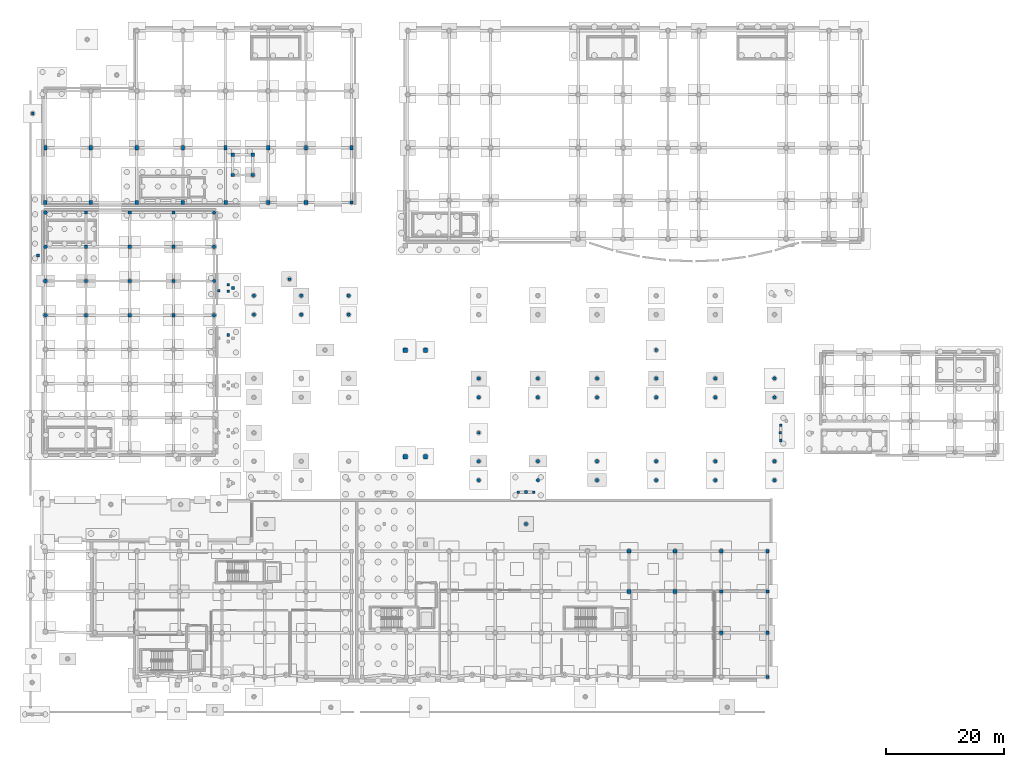
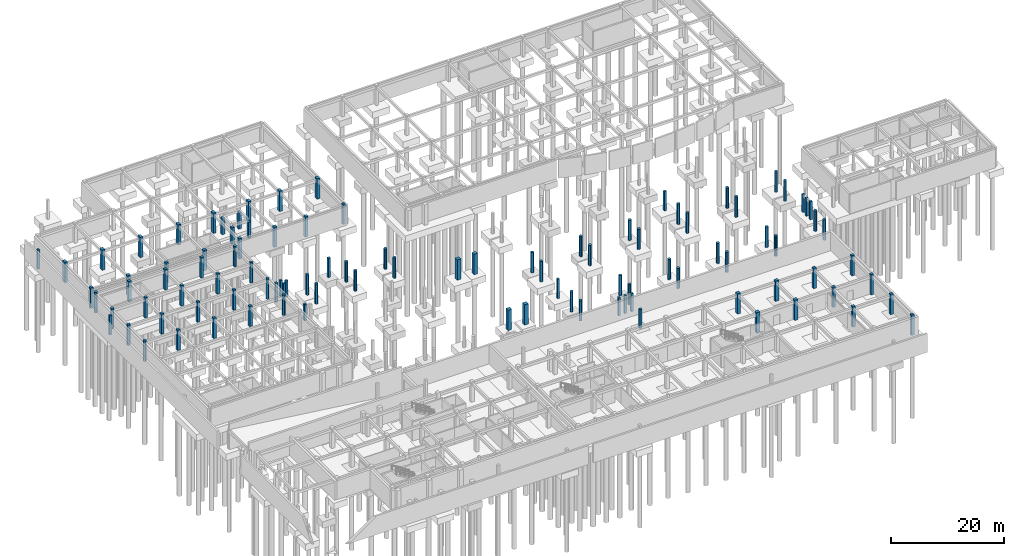
# One storey, part 7 of 22: 102 columns.
"""IFC4 building model written with IfcOpenShell, lengths in metres."""

from ifc_helpers import new_model, si_unit, direction, frame, origin, origin_2d, place, context, subcontext, project, spatial, rectangle, circle, extrude, material, material_profile, profile_set, type_object, element, save


model = new_model("IFC4")

# Units and contexts
model_context = context("Model", 3, precision=1e-05, world=origin(), true_north=direction((0.0, 1.0)))
body_context = subcontext(model_context, "Body", "Model", "MODEL_VIEW")
ifc_project = project(units=[si_unit("LENGTHUNIT", "METRE"), si_unit("AREAUNIT", "SQUARE_METRE"), si_unit("VOLUMEUNIT", "CUBIC_METRE"), si_unit("PLANEANGLEUNIT", "RADIAN"), si_unit("MASSUNIT", "GRAM", prefix="KILO")], contexts=[model_context])

# Site, building, storey
site_placement = place(None, origin())
site = spatial("IfcSite", under=ifc_project, at=site_placement, CompositionType="ELEMENT")
building_placement = place(site_placement, origin())
building = spatial("IfcBuilding", under=site, at=building_placement, Name="Valcora Specialist Clinic", CompositionType="ELEMENT")
storey_placement = place(building_placement, frame((0.0, 0.0, -4.419921875)))
storey = spatial("IfcBuildingStorey", under=building, at=storey_placement, Name="B1", CompositionType="ELEMENT", Elevation=-4.419921875)

# Columns
ifc_material = material(Name="Concrete C40/50", Category="concrete")
ifc_material_profile_1 = material_profile(ifc_material, rectangle(XDim=0.75, YDim=0.75, at=origin_2d()), Name="RC-PED-750X750")
ifc_profile_set_1 = profile_set([ifc_material_profile_1], Name="Concrete C40/50")
column_type_1 = type_object("IfcColumnType", Name="TY-COL-PED750", PredefinedType="COLUMN", material=ifc_profile_set_1)
for number, where, z_axis, x_axis, name in (
    (1, (61.60009765625, 38.0, 0.0), (0.0, 0.0, 1.0), (1.0, 0.0, 0.0), "Column COL-B1-0965"),
    (2, (61.60009765625, 56.0, 0.0), (0.0, 0.0, 1.0), (1.0, 0.0, 0.0), "Column COL-B1-0971"),
    (3, (65.0, 38.0, 0.0), (0.0, 0.0, 1.0), (1.0, 0.0, 0.0), "Column COL-B1-0989"),
    (4, (65.0, 56.0, 0.0), (0.0, 0.0, 1.0), (1.0, 0.0, 0.0), "Column COL-B1-0995"),
):
    element("IfcColumn", number, at=place(storey_placement, frame(where, z_axis=z_axis, x_axis=x_axis)), inside=storey, type_object=column_type_1, Name=name, PredefinedType="COLUMN", context=body_context, shape_type="SweptSolid", body=[
        extrude(rectangle(XDim=0.75, YDim=0.75, at=origin_2d()), origin(), (0.0, 0.0, 1.0), 4.419921875),
    ])
ifc_material_profile_2 = material_profile(ifc_material, rectangle(XDim=0.449951171875, YDim=0.449951171875, at=origin_2d()), Name="RC-COL-450X450")
ifc_profile_set_2 = profile_set([ifc_material_profile_2], Name="Concrete C40/50")
column_type_2 = type_object("IfcColumnType", Name="TY-COL-RC450", PredefinedType="COLUMN", material=ifc_profile_set_2)
column_1_placement = place(storey_placement, frame((82.0, 32.0, 0.0), z_axis=(0.0, 0.0, 1.0), x_axis=(1.0, 0.0, 0.0)))
element("IfcColumn", 5, at=column_1_placement, inside=storey, type_object=column_type_2, Name="Column COL-B1-1029", PredefinedType="COLUMN", context=body_context, shape_type="SweptSolid", body=[
    extrude(rectangle(XDim=0.449951171875, YDim=0.449951171875, at=origin_2d()), origin(), (0.0, 0.0, 1.0), 3.89990234375),
])
column_2_placement = place(storey_placement, frame((82.0, 26.60009765625, 0.0), z_axis=(0.0, 0.0, 1.0), x_axis=(1.0, 0.0, 0.0)))
element("IfcColumn", 6, at=column_2_placement, inside=storey, type_object=column_type_2, Name="Column COL-B1-1030", PredefinedType="COLUMN", context=body_context, shape_type="SweptSolid", body=[
    extrude(rectangle(XDim=0.449951171875, YDim=0.449951171875, at=origin_2d()), origin(), (0.0, 0.0, 1.0), 4.199951171875),
])
column_3_placement = place(storey_placement, frame((125.0, 42.0, 0.0), z_axis=(0.0, 0.0, 1.0), x_axis=(1.0, 0.0, 0.0)))
element("IfcColumn", 7, at=column_3_placement, inside=storey, type_object=column_type_2, Name="Column COL-B1-1031", PredefinedType="COLUMN", context=body_context, shape_type="SweptSolid", body=[
    extrude(rectangle(XDim=0.449951171875, YDim=0.449951171875, at=origin_2d()), origin(), (0.0, 0.0, 1.0), 3.89990234375),
])
for number, where, z_axis, x_axis, name in (
    (8, (30.050048828125, 66.0, 0.0), (0.0, 0.0, 1.0), (1.0, 0.0, 0.0), "Column COL-B1-1037"),
    (9, (-0.5, 72.0, 0.0), (0.0, 0.0, 1.0), (1.0, 0.0, 0.0), "Foundation support pier COL-APR-B1-011"),
    (10, (-1.39990234375, 96.0, 0.0), (0.0, 0.0, 1.0), (1.0, 0.0, 0.0), "Foundation support pier COL-APR-B1-012"),
    (11, (42.0, 68.0, 0.0), (0.0, 0.0, 1.0), (1.0, 0.0, 0.0), "Foundation support pier COL-APR-B1-018"),
    (12, (74.0, 42.0, 0.0), (0.0, 0.0, 1.0), (1.0, 0.0, 0.0), "Foundation support pier COL-APR-B1-019"),
    (13, (104.0, 56.0, 0.0), (0.0, 0.0, 1.0), (1.0, 0.0, 0.0), "Foundation support pier COL-APR-B1-020"),
):
    element("IfcColumn", number, at=place(storey_placement, frame(where, z_axis=z_axis, x_axis=x_axis)), inside=storey, type_object=column_type_2, Name=name, PredefinedType="COLUMN", context=body_context, shape_type="SweptSolid", body=[
        extrude(rectangle(XDim=0.449951171875, YDim=0.449951171875, at=origin_2d()), origin(), (0.0, 0.0, 1.0), 4.199951171875),
    ])
for number, where, z_axis, x_axis, name in (
    (14, (80.699951171875, 31.949951171875, 0.0), (0.0, 0.0, 1.0), (1.0, 0.0, 0.0), "Foundation support pier COL-APR-B1-035"),
    (15, (83.300048828125, 31.949951171875, 0.0), (0.0, 0.0, 1.0), (1.0, 0.0, 0.0), "Foundation support pier COL-APR-B1-036"),
    (16, (125.050048828125, 40.699951171875, 0.0), (0.0, 0.0, 1.0), (1.0, 0.0, 0.0), "Foundation support pier COL-APR-B1-037"),
    (17, (125.050048828125, 43.300048828125, 0.0), (0.0, 0.0, 1.0), (1.0, 0.0, 0.0), "Foundation support pier COL-APR-B1-038"),
):
    element("IfcColumn", number, at=place(storey_placement, frame(where, z_axis=z_axis, x_axis=x_axis)), inside=storey, type_object=column_type_2, Name=name, PredefinedType="COLUMN", context=body_context, shape_type="SweptSolid", body=[
        extrude(rectangle(XDim=0.449951171875, YDim=0.449951171875, at=origin_2d()), origin(), (0.0, 0.0, 1.0), 3.89990234375),
    ])
for number, where, z_axis, x_axis, name in (
    (18, (31.64990234375, 58.550048828125, 0.0), (0.0, 0.0, 1.0), (1.0, 0.0, 0.0), "Foundation support pier COL-APR-B1-049"),
    (19, (31.64990234375, 65.949951171875, 0.0), (0.0, 0.0, 1.0), (1.0, 0.0, 0.0), "Foundation support pier COL-APR-B1-051"),
    (20, (31.64990234375, 67.050048828125, 0.0), (0.0, 0.0, 1.0), (1.0, 0.0, 0.0), "Foundation support pier COL-APR-B1-052"),
    (21, (32.449951171875, 66.5, 0.0), (0.0, 0.0, 1.0), (1.0, 0.0, 0.0), "Foundation support pier COL-APR-B1-053"),
):
    element("IfcColumn", number, at=place(storey_placement, frame(where, z_axis=z_axis, x_axis=x_axis)), inside=storey, type_object=column_type_2, Name=name, PredefinedType="COLUMN", context=body_context, shape_type="SweptSolid", body=[
        extrude(rectangle(XDim=0.449951171875, YDim=0.449951171875, at=origin_2d()), origin(), (0.0, 0.0, 1.0), 3.52001953125),
    ])
ifc_material_profile_3 = material_profile(ifc_material, rectangle(XDim=0.5, YDim=0.5, at=origin_2d()), Name="RC-COL-500X500")
ifc_profile_set_3 = profile_set([ifc_material_profile_3], Name="Concrete C40/50")
column_type_3 = type_object("IfcColumnType", Name="TY-COL-RC500", PredefinedType="COLUMN", material=ifc_profile_set_3)
column_4_placement = place(storey_placement, frame((52.5, 80.949951171875, 0.0), z_axis=(0.0, 0.0, 1.0), x_axis=(1.0, 0.0, 0.0)))
element("IfcColumn", 22, at=column_4_placement, inside=storey, type_object=column_type_3, Name="Column COL-B1-0237", PredefinedType="COLUMN", context=body_context, shape_type="SweptSolid", body=[
    extrude(rectangle(XDim=0.5, YDim=0.5, at=origin_2d()), origin(), (0.0, 0.0, 1.0), 4.419921875),
])
ifc_material_profile_4 = material_profile(ifc_material, rectangle(XDim=0.550048828125, YDim=0.550048828125, at=origin_2d()), Name="RC-COL-550X550")
ifc_profile_set_4 = profile_set([ifc_material_profile_4], Name="Concrete C40/50")
column_type_4 = type_object("IfcColumnType", Name="TY-COL-RC550", PredefinedType="COLUMN", material=ifc_profile_set_4)
for number, where, z_axis, x_axis, name in (
    (23, (7.60009765625, 61.89306640625, 0.0), (0.0, 0.0, 1.0), (1.0, 0.0, 0.0), "Column COL-B1-0045"),
    (24, (7.60009765625, 67.678955078125, 0.0), (0.0, 0.0, 1.0), (1.0, 0.0, 0.0), "Column COL-B1-0048"),
    (25, (7.60009765625, 73.464111328125, 0.0), (0.0, 0.0, 1.0), (1.0, 0.0, 0.0), "Column COL-B1-0051"),
    (26, (7.60009765625, 79.25, 0.0), (0.0, 0.0, 1.0), (1.0, 0.0, 0.0), "Column COL-B1-0054"),
    (27, (15.0, 61.89306640625, 0.0), (0.0, 0.0, 1.0), (1.0, 0.0, 0.0), "Column COL-B1-0067"),
    (28, (15.0, 67.678955078125, 0.0), (0.0, 0.0, 1.0), (1.0, 0.0, 0.0), "Column COL-B1-0069"),
    (29, (15.0, 73.464111328125, 0.0), (0.0, 0.0, 1.0), (1.0, 0.0, 0.0), "Column COL-B1-0071"),
    (30, (15.0, 79.25, 0.0), (0.0, 0.0, 1.0), (1.0, 0.0, 0.0), "Column COL-B1-0074"),
    (31, (22.39990234375, 61.89306640625, 0.0), (0.0, 0.0, 1.0), (1.0, 0.0, 0.0), "Column COL-B1-0089"),
    (32, (22.39990234375, 67.678955078125, 0.0), (0.0, 0.0, 1.0), (1.0, 0.0, 0.0), "Column COL-B1-0092"),
    (33, (22.39990234375, 73.464111328125, 0.0), (0.0, 0.0, 1.0), (1.0, 0.0, 0.0), "Column COL-B1-0095"),
    (34, (22.39990234375, 79.25, 0.0), (0.0, 0.0, 1.0), (1.0, 0.0, 0.0), "Column COL-B1-0098"),
    (35, (115.0, 8.199951171875, 0.0), (0.0, 0.0, 1.0), (1.0, 0.0, 0.0), "Column COL-B1-0923"),
    (36, (115.0, 15.199951171875, 0.0), (0.0, 0.0, 1.0), (1.0, 0.0, 0.0), "Column COL-B1-0927"),
    (37, (115.0, 22.0, 0.0), (0.0, 0.0, 1.0), (1.0, 0.0, 0.0), "Column COL-B1-0931"),
    (38, (122.800048828125, 0.75, 0.0), (0.0, 0.0, 1.0), (1.0, 0.0, 0.0), "Column COL-B1-0935"),
    (39, (122.800048828125, 8.199951171875, 0.0), (0.0, 0.0, 1.0), (1.0, 0.0, 0.0), "Column COL-B1-0938"),
    (40, (122.800048828125, 15.199951171875, 0.0), (0.0, 0.0, 1.0), (1.0, 0.0, 0.0), "Column COL-B1-0941"),
    (41, (122.800048828125, 22.0, 0.0), (0.0, 0.0, 1.0), (1.0, 0.0, 0.0), "Column COL-B1-0944"),
):
    element("IfcColumn", number, at=place(storey_placement, frame(where, z_axis=z_axis, x_axis=x_axis)), inside=storey, type_object=column_type_4, Name=name, PredefinedType="COLUMN", context=body_context, shape_type="SweptSolid", body=[
        extrude(rectangle(XDim=0.550048828125, YDim=0.550048828125, at=origin_2d()), origin(), (0.0, 0.0, 1.0), 4.419921875),
    ])
for number, where, z_axis, x_axis, name in (
    (42, (32.39990234375, 85.60009765625, 0.0), (0.0, 0.0, 1.0), (1.0, 0.0, 0.0), "Column COL-B1-1019"),
    (43, (32.39990234375, 89.0, 0.0), (0.0, 0.0, 1.0), (1.0, 0.0, 0.0), "Column COL-B1-1020"),
    (44, (35.800048828125, 85.60009765625, 0.0), (0.0, 0.0, 1.0), (1.0, 0.0, 0.0), "Column COL-B1-1021"),
    (45, (35.800048828125, 89.0, 0.0), (0.0, 0.0, 1.0), (1.0, 0.0, 0.0), "Column COL-B1-1022"),
):
    element("IfcColumn", number, at=place(storey_placement, frame(where, z_axis=z_axis, x_axis=x_axis)), inside=storey, type_object=column_type_4, Name=name, PredefinedType="COLUMN", context=body_context, shape_type="SweptSolid", body=[
        extrude(rectangle(XDim=0.550048828125, YDim=0.550048828125, at=origin_2d()), origin(), (0.0, 0.0, 1.0), 3.5498046875),
    ])
ifc_material_profile_5 = material_profile(ifc_material, rectangle(XDim=0.550048828125, YDim=0.800048828125, at=origin_2d()), Name="RC-COL-550X800")
ifc_profile_set_5 = profile_set([ifc_material_profile_5], Name="Concrete C40/50")
column_type_5 = type_object("IfcColumnType", Name="TY-COL-RC550X800", PredefinedType="COLUMN", material=ifc_profile_set_5)
for number, where, z_axis, x_axis, name in (
    (46, (0.75, 90.199951171875, 0.0), (0.0, 0.0, 1.0), (1.0, 0.0, 0.0), "Column COL-B1-0137"),
    (47, (8.39990234375, 90.199951171875, 0.0), (0.0, 0.0, 1.0), (1.0, 0.0, 0.0), "Column COL-B1-0149"),
    (48, (16.199951171875, 90.199951171875, 0.0), (0.0, 0.0, 1.0), (1.0, 0.0, 0.0), "Column COL-B1-0161"),
    (49, (24.0, 90.199951171875, 0.0), (0.0, 0.0, 1.0), (1.0, 0.0, 0.0), "Column COL-B1-0177"),
    (50, (31.199951171875, 90.199951171875, 0.0), (0.0, 0.0, 1.0), (1.0, 0.0, 0.0), "Column COL-B1-0193"),
    (51, (38.39990234375, 90.199951171875, 0.0), (0.0, 0.0, 1.0), (1.0, 0.0, 0.0), "Column COL-B1-0209"),
    (52, (44.800048828125, 90.199951171875, 0.0), (0.0, 0.0, 1.0), (1.0, 0.0, 0.0), "Column COL-B1-0225"),
    (53, (52.5, 90.199951171875, 0.0), (0.0, 0.0, 1.0), (1.0, 0.0, 0.0), "Column COL-B1-0240"),
):
    element("IfcColumn", number, at=place(storey_placement, frame(where, z_axis=z_axis, x_axis=x_axis)), inside=storey, type_object=column_type_5, Name=name, PredefinedType="COLUMN", context=body_context, shape_type="SweptSolid", body=[
        extrude(rectangle(XDim=0.550048828125, YDim=0.800048828125, at=origin_2d()), origin(), (0.0, 0.0, 1.0), 4.419921875),
    ])
ifc_material_profile_6 = material_profile(ifc_material, rectangle(XDim=0.60009765625, YDim=0.60009765625, at=origin_2d()), Name="RC-COL-600X600")
ifc_profile_set_6 = profile_set([ifc_material_profile_6], Name="Concrete C40/50")
column_type_6 = type_object("IfcColumnType", Name="TY-COL-RC600", PredefinedType="COLUMN", material=ifc_profile_set_6)
for number, where, z_axis, x_axis, name in (
    (54, (0.75, 80.949951171875, 0.0), (0.0, 0.0, 1.0), (1.0, 0.0, 0.0), "Column COL-B1-0133"),
    (55, (8.39990234375, 80.949951171875, 0.0), (0.0, 0.0, 1.0), (1.0, 0.0, 0.0), "Column COL-B1-0145"),
    (56, (16.199951171875, 80.949951171875, 0.0), (0.0, 0.0, 1.0), (1.0, 0.0, 0.0), "Column COL-B1-0157"),
    (57, (24.0, 80.949951171875, 0.0), (0.0, 0.0, 1.0), (1.0, 0.0, 0.0), "Column COL-B1-0173"),
    (58, (31.199951171875, 80.949951171875, 0.0), (0.0, 0.0, 1.0), (1.0, 0.0, 0.0), "Column COL-B1-0189"),
    (59, (38.39990234375, 80.949951171875, 0.0), (0.0, 0.0, 1.0), (1.0, 0.0, 0.0), "Column COL-B1-0205"),
    (60, (44.800048828125, 80.949951171875, 0.0), (0.0, 0.0, 1.0), (1.0, 0.0, 0.0), "Column COL-B1-0221"),
):
    element("IfcColumn", number, at=place(storey_placement, frame(where, z_axis=z_axis, x_axis=x_axis)), inside=storey, type_object=column_type_6, Name=name, PredefinedType="COLUMN", context=body_context, shape_type="SweptSolid", body=[
        extrude(rectangle(XDim=0.60009765625, YDim=0.60009765625, at=origin_2d()), origin(), (0.0, 0.0, 1.0), 4.419921875),
    ])
ifc_material_profile_7 = material_profile(ifc_material, rectangle(XDim=0.64990234375, YDim=0.64990234375, at=origin_2d()), Name="RC-COL-650X650")
ifc_profile_set_7 = profile_set([ifc_material_profile_7], Name="Concrete C40/50")
column_type_7 = type_object("IfcColumnType", Name="TY-COL-RC650", PredefinedType="COLUMN", material=ifc_profile_set_7)
for number, where, z_axis, x_axis, name in (
    (61, (99.39990234375, 15.199951171875, 0.0), (0.0, 0.0, 1.0), (1.0, 0.0, 0.0), "Column COL-B1-0887"),
    (62, (99.39990234375, 22.0, 0.0), (0.0, 0.0, 1.0), (1.0, 0.0, 0.0), "Column COL-B1-0893"),
    (63, (107.199951171875, 15.199951171875, 0.0), (0.0, 0.0, 1.0), (1.0, 0.0, 0.0), "Column COL-B1-0909"),
    (64, (107.199951171875, 22.0, 0.0), (0.0, 0.0, 1.0), (1.0, 0.0, 0.0), "Column COL-B1-0914"),
):
    element("IfcColumn", number, at=place(storey_placement, frame(where, z_axis=z_axis, x_axis=x_axis)), inside=storey, type_object=column_type_7, Name=name, PredefinedType="COLUMN", context=body_context, shape_type="SweptSolid", body=[
        extrude(rectangle(XDim=0.64990234375, YDim=0.64990234375, at=origin_2d()), origin(), (0.0, 0.0, 1.0), 4.419921875),
    ])
ifc_material_profile_8 = material_profile(ifc_material, circle(Radius=0.300048828125, at=origin_2d()), Name="RC-COL-D600")
ifc_profile_set_8 = profile_set([ifc_material_profile_8], Name="Concrete C40/50")
column_type_8 = type_object("IfcColumnType", Name="TY-COL-RCD600", PredefinedType="COLUMN", material=ifc_profile_set_8)
for number, where, z_axis, x_axis, name in (
    (65, (29.25, 61.89306640625, 0.0), (0.0, 0.0, 1.0), (1.0, 0.0, 0.0), "Column COL-B1-0117"),
    (66, (29.25, 67.678955078125, 0.0), (0.0, 0.0, 1.0), (1.0, 0.0, 0.0), "Column COL-B1-0121"),
    (67, (29.25, 73.464111328125, 0.0), (0.0, 0.0, 1.0), (1.0, 0.0, 0.0), "Column COL-B1-0125"),
    (68, (29.25, 79.25, 0.0), (0.0, 0.0, 1.0), (1.0, 0.0, 0.0), "Column COL-B1-0129"),
    (69, (36.0, 62.0, 0.0), (0.0, 0.0, 1.0), (1.0, 0.0, 0.0), "Column COL-B1-1086"),
    (70, (36.0, 65.199951171875, 0.0), (0.0, 0.0, 1.0), (1.0, 0.0, 0.0), "Column COL-B1-1088"),
    (71, (44.0, 62.0, 0.0), (0.0, 0.0, 1.0), (1.0, 0.0, 0.0), "Column COL-B1-1098"),
    (72, (44.0, 65.199951171875, 0.0), (0.0, 0.0, 1.0), (1.0, 0.0, 0.0), "Column COL-B1-1100"),
    (73, (52.0, 62.0, 0.0), (0.0, 0.0, 1.0), (1.0, 0.0, 0.0), "Column COL-B1-1110"),
    (74, (52.0, 65.199951171875, 0.0), (0.0, 0.0, 1.0), (1.0, 0.0, 0.0), "Column COL-B1-1112"),
    (75, (74.0, 34.0, 0.0), (0.0, 0.0, 1.0), (1.0, 0.0, 0.0), "Column COL-B1-1114"),
    (76, (74.0, 37.199951171875, 0.0), (0.0, 0.0, 1.0), (1.0, 0.0, 0.0), "Column COL-B1-1116"),
    (77, (74.0, 48.0, 0.0), (0.0, 0.0, 1.0), (1.0, 0.0, 0.0), "Column COL-B1-1118"),
    (78, (74.0, 51.199951171875, 0.0), (0.0, 0.0, 1.0), (1.0, 0.0, 0.0), "Column COL-B1-1120"),
    (79, (84.0, 34.0, 0.0), (0.0, 0.0, 1.0), (1.0, 0.0, 0.0), "Column COL-B1-1126"),
    (80, (84.0, 37.199951171875, 0.0), (0.0, 0.0, 1.0), (1.0, 0.0, 0.0), "Column COL-B1-1128"),
    (81, (84.0, 48.0, 0.0), (0.0, 0.0, 1.0), (1.0, 0.0, 0.0), "Column COL-B1-1130"),
    (82, (84.0, 51.199951171875, 0.0), (0.0, 0.0, 1.0), (1.0, 0.0, 0.0), "Column COL-B1-1132"),
    (83, (94.0, 34.0, 0.0), (0.0, 0.0, 1.0), (1.0, 0.0, 0.0), "Column COL-B1-1138"),
    (84, (94.0, 37.199951171875, 0.0), (0.0, 0.0, 1.0), (1.0, 0.0, 0.0), "Column COL-B1-1140"),
    (85, (94.0, 48.0, 0.0), (0.0, 0.0, 1.0), (1.0, 0.0, 0.0), "Column COL-B1-1142"),
    (86, (94.0, 51.199951171875, 0.0), (0.0, 0.0, 1.0), (1.0, 0.0, 0.0), "Column COL-B1-1144"),
    (87, (104.0, 34.0, 0.0), (0.0, 0.0, 1.0), (1.0, 0.0, 0.0), "Column COL-B1-1150"),
    (88, (104.0, 37.199951171875, 0.0), (0.0, 0.0, 1.0), (1.0, 0.0, 0.0), "Column COL-B1-1152"),
    (89, (104.0, 48.0, 0.0), (0.0, 0.0, 1.0), (1.0, 0.0, 0.0), "Column COL-B1-1154"),
    (90, (104.0, 51.199951171875, 0.0), (0.0, 0.0, 1.0), (1.0, 0.0, 0.0), "Column COL-B1-1156"),
    (91, (114.0, 34.0, 0.0), (0.0, 0.0, 1.0), (1.0, 0.0, 0.0), "Column COL-B1-1162"),
    (92, (114.0, 37.199951171875, 0.0), (0.0, 0.0, 1.0), (1.0, 0.0, 0.0), "Column COL-B1-1164"),
    (93, (114.0, 48.0, 0.0), (0.0, 0.0, 1.0), (1.0, 0.0, 0.0), "Column COL-B1-1166"),
    (94, (114.0, 51.199951171875, 0.0), (0.0, 0.0, 1.0), (1.0, 0.0, 0.0), "Column COL-B1-1168"),
    (95, (124.0, 34.0, 0.0), (0.0, 0.0, 1.0), (1.0, 0.0, 0.0), "Column COL-B1-1174"),
    (96, (124.0, 37.199951171875, 0.0), (0.0, 0.0, 1.0), (1.0, 0.0, 0.0), "Column COL-B1-1176"),
    (97, (124.0, 48.0, 0.0), (0.0, 0.0, 1.0), (1.0, 0.0, 0.0), "Column COL-B1-1178"),
    (98, (124.0, 51.199951171875, 0.0), (0.0, 0.0, 1.0), (1.0, 0.0, 0.0), "Column COL-B1-1180"),
):
    element("IfcColumn", number, at=place(storey_placement, frame(where, z_axis=z_axis, x_axis=x_axis)), inside=storey, type_object=column_type_8, Name=name, PredefinedType="COLUMN", context=body_context, shape_type="SweptSolid", body=[
        extrude(circle(Radius=0.300048828125, at=origin_2d()), origin(), (0.0, 0.0, 1.0), 4.419921875),
    ])
ifc_material_profile_9 = material_profile(ifc_material, circle(Radius=0.324951171875, at=origin_2d()), Name="RC-COL-D650")
ifc_profile_set_9 = profile_set([ifc_material_profile_9], Name="Concrete C40/50")
column_type_9 = type_object("IfcColumnType", Name="TY-COL-RCD650", PredefinedType="COLUMN", material=ifc_profile_set_9)
for number, where, z_axis, x_axis, name in (
    (99, (0.75, 61.89306640625, 0.0), (0.0, 0.0, 1.0), (1.0, 0.0, 0.0), "Column COL-B1-0017"),
    (100, (0.75, 67.678955078125, 0.0), (0.0, 0.0, 1.0), (1.0, 0.0, 0.0), "Column COL-B1-0021"),
    (101, (0.75, 73.464111328125, 0.0), (0.0, 0.0, 1.0), (1.0, 0.0, 0.0), "Column COL-B1-0025"),
    (102, (0.75, 79.25, 0.0), (0.0, 0.0, 1.0), (1.0, 0.0, 0.0), "Column COL-B1-0029"),
):
    element("IfcColumn", number, at=place(storey_placement, frame(where, z_axis=z_axis, x_axis=x_axis)), inside=storey, type_object=column_type_9, Name=name, PredefinedType="COLUMN", context=body_context, shape_type="SweptSolid", body=[
        extrude(circle(Radius=0.324951171875, at=origin_2d()), origin(), (0.0, 0.0, 1.0), 4.419921875),
    ])

save(model, "model.ifc")
